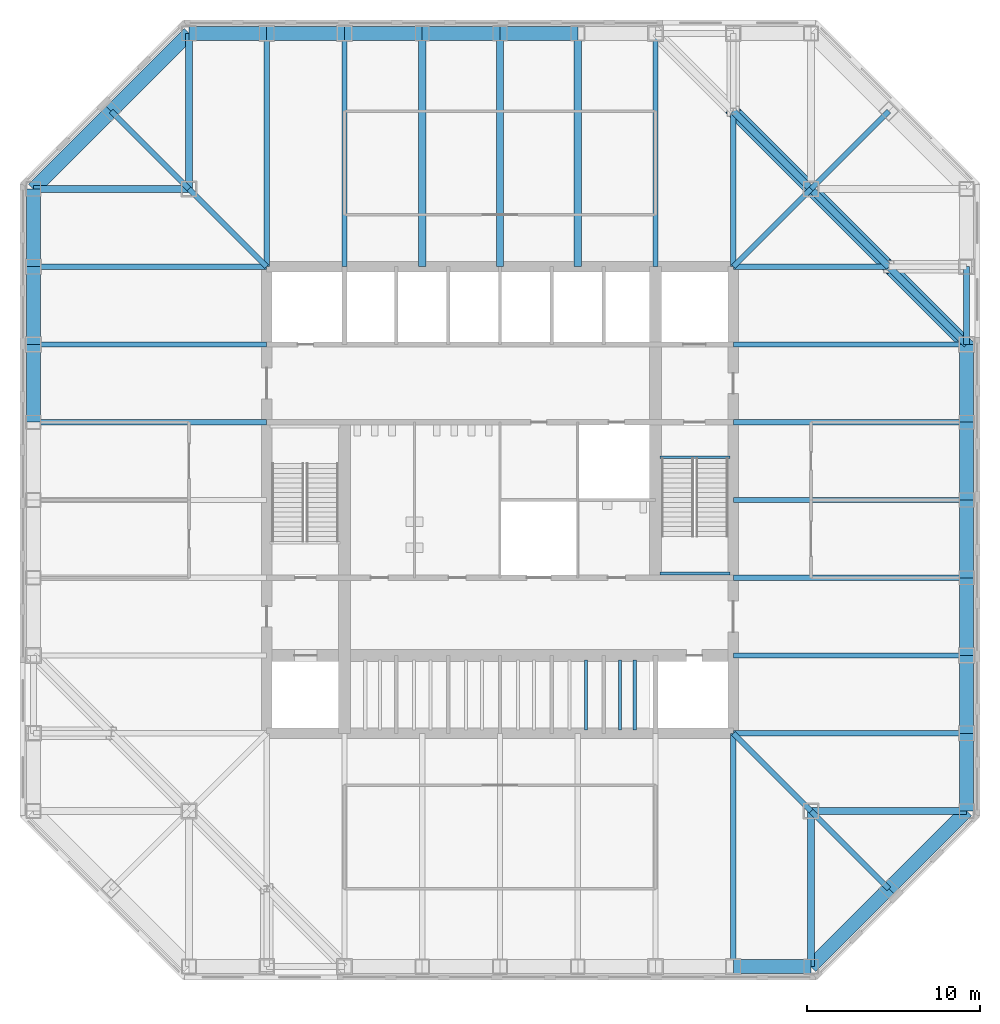
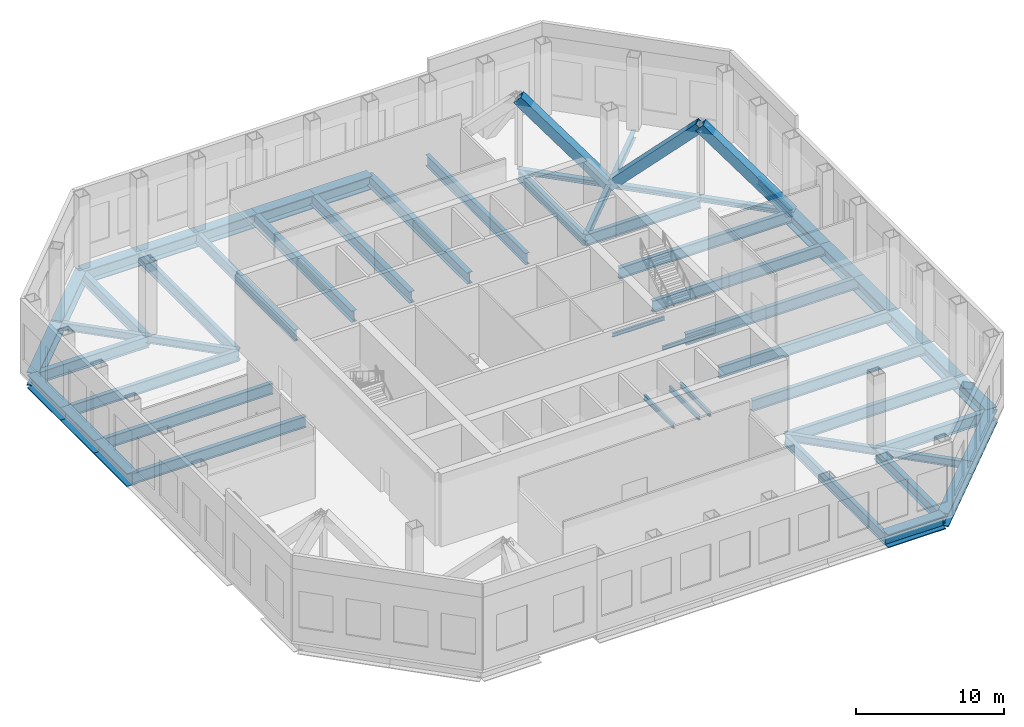
# One storey, part 3 of 11: 56 beams, 3 members.
"""IFC4 building model written with IfcOpenShell, lengths in metres."""

from ifc_helpers import new_model, si_unit, direction, frame, origin, origin_2d, place, context, subcontext, project, spatial, hollow_rectangle, i_section, extrude, material, material_profile, profile_set, type_object, element, save


model = new_model("IFC4")

# Units and contexts
model_context = context("Model", 3, precision=1e-05, world=origin(), true_north=direction((0.0, 1.0)))
body_context = subcontext(model_context, "Body", "Model", "MODEL_VIEW")
ifc_project = project(units=[si_unit("LENGTHUNIT", "METRE"), si_unit("AREAUNIT", "SQUARE_METRE"), si_unit("VOLUMEUNIT", "CUBIC_METRE"), si_unit("PLANEANGLEUNIT", "RADIAN"), si_unit("MASSUNIT", "GRAM", prefix="KILO")], contexts=[model_context])

# Site, building, storey
site_placement = place(None, origin())
site = spatial("IfcSite", under=ifc_project, at=site_placement, CompositionType="ELEMENT")
building_placement = place(site_placement, origin())
building = spatial("IfcBuilding", under=site, at=building_placement, Name="Corais Broadcast Tower", CompositionType="ELEMENT")
storey_placement = place(building_placement, frame((0.0, 0.0, 104.60009765625)))
storey = spatial("IfcBuildingStorey", under=building, at=storey_placement, Name="L23", CompositionType="ELEMENT", Elevation=104.60009765625)

# Beams
ifc_material_1 = material(Name="Steel ASTM A572 Grade 50", Category="steel")
ifc_material_profile_1 = material_profile(ifc_material_1, i_section(OverallWidth=0.323974609375, OverallDepth=0.611083984375, WebThickness=0.0126953125, FlangeThickness=0.01904296875, at=origin_2d()), Name="W610x155")
ifc_profile_set_1 = profile_set([ifc_material_profile_1], Name="Steel ASTM A572 Grade 50")
beam_type_1 = type_object("IfcBeamType", Name="Chamfer tie W610x155", PredefinedType="BEAM", material=ifc_profile_set_1)
for number, where, z_axis, x_axis, name in (
    (1, (4.5, 49.5, -0.505615234375), (0.707106781187, -0.707106781187, 0.0), (0.707106781187, 0.707106781187, 0.0), "B5 M/4 to L/5"),
    (2, (49.5, 4.5, -0.505615234375), (-0.707106781187, 0.707106781187, 0.0), (-0.707106781187, -0.707106781187, 0.0), "B5 B/14 to C/13"),
    (3, (49.5, 49.5, -0.505615234375), (-0.707106781187, -0.707106781187, 0.0), (0.707106781187, -0.707106781187, 0.0), "B5 M/14 to L/13"),
):
    element("IfcBeam", number, at=place(storey_placement, frame(where, z_axis=z_axis, x_axis=x_axis)), inside=storey, type_object=beam_type_1, Name=name, PredefinedType="BEAM", context=body_context, shape_type="SweptSolid", body=[
        extrude(i_section(OverallWidth=0.323974609375, OverallDepth=0.611083984375, WebThickness=0.0126953125, FlangeThickness=0.01904296875, at=origin_2d()), origin(), (0.0, 0.0, 1.0), 6.364013671875),
    ])
ifc_material_2 = material(Name="Steel ASTM A572 Grade 50", Category="steel")
ifc_material_profile_2 = material_profile(ifc_material_2, i_section(OverallWidth=0.323974609375, OverallDepth=0.611083984375, WebThickness=0.0126953125, FlangeThickness=0.01904296875, at=origin_2d()), Name="W610x155")
ifc_profile_set_2 = profile_set([ifc_material_profile_2], Name="Steel ASTM A572 Grade 50")
beam_type_2 = type_object("IfcBeamType", Name="Corner diagonal W610x155", PredefinedType="BEAM", material=ifc_profile_set_2)
for number, where, z_axis, x_axis, name in (
    (4, (45.0, 45.0, -0.505615234375), (-0.707106781187, -0.707106781187, 0.0), (0.707106781187, -0.707106781187, 0.0), "B6 L/13 to K/12"),
    (5, (45.0, 9.0, -0.505615234375), (-0.707106781187, 0.707106781187, 0.0), (-0.707106781187, -0.707106781187, 0.0), "B6 C/13 to D/12"),
    (6, (9.0, 45.0, -0.505615234375), (0.707106781187, -0.707106781187, 0.0), (0.707106781187, 0.707106781187, 0.0), "B6 L/5 to K/6"),
):
    element("IfcBeam", number, at=place(storey_placement, frame(where, z_axis=z_axis, x_axis=x_axis)), inside=storey, type_object=beam_type_2, Name=name, PredefinedType="BEAM", context=body_context, shape_type="SweptSolid", body=[
        extrude(i_section(OverallWidth=0.323974609375, OverallDepth=0.611083984375, WebThickness=0.0126953125, FlangeThickness=0.01904296875, at=origin_2d()), origin(), (0.0, 0.0, 1.0), 6.364013671875),
    ])
ifc_material_3 = material(Name="Steel ASTM A572 Grade 50", Category="steel")
ifc_material_profile_3 = material_profile(ifc_material_3, i_section(OverallWidth=0.1650390625, OverallDepth=0.31005859375, WebThickness=0.005859375, FlangeThickness=0.009765625, at=origin_2d()), Name="W310x38.7")
ifc_profile_set_3 = profile_set([ifc_material_profile_3], Name="Steel ASTM A572 Grade 50")
beam_type_3 = type_object("IfcBeamType", Name="Landing trimmer W310x38.7", PredefinedType="BEAM", material=ifc_profile_set_3)
for number, where, z_axis, x_axis, name in (
    (7, (36.25, 29.47509765625, -0.35498046875), (1.0, 0.0, 0.0), (0.0, 1.0, 0.0), "LT1 stair B landing trimmer L23"),
    (8, (36.25, 22.739990234375, 2.64501953125), (1.0, 0.0, 0.0), (0.0, 1.0, 0.0), "LT1 stair B half landing trimmer L23"),
):
    element("IfcBeam", number, at=place(storey_placement, frame(where, z_axis=z_axis, x_axis=x_axis)), inside=storey, type_object=beam_type_3, Name=name, PredefinedType="BEAM", context=body_context, shape_type="SweptSolid", body=[
        extrude(i_section(OverallWidth=0.1650390625, OverallDepth=0.31005859375, WebThickness=0.005859375, FlangeThickness=0.009765625, at=origin_2d()), origin(), (0.0, 0.0, 1.0), 4.050048828125),
    ])
ifc_material_4 = material(Name="Steel ASTM A572 Grade 50", Category="steel")
ifc_material_profile_4 = material_profile(ifc_material_4, i_section(OverallWidth=0.323974609375, OverallDepth=0.611083984375, WebThickness=0.0126953125, FlangeThickness=0.01904296875, at=origin_2d()), Name="W610x155")
ifc_profile_set_4 = profile_set([ifc_material_profile_4], Name="Steel ASTM A572 Grade 50")
beam_type_4 = type_object("IfcBeamType", Name="Pinned spandrel W610x155", PredefinedType="BEAM", material=ifc_profile_set_4)
beam_1_placement = place(storey_placement, frame((54.0, 36.0, -0.505615234375), z_axis=(0.0, 1.0, 0.0), x_axis=(-1.0, 0.0, 0.0)))
element("IfcBeam", 9, at=beam_1_placement, inside=storey, type_object=beam_type_4, Name="SB6 J/15 to K/15", PredefinedType="BEAM", context=body_context, shape_type="SweptSolid", body=[
    extrude(i_section(OverallWidth=0.323974609375, OverallDepth=0.611083984375, WebThickness=0.0126953125, FlangeThickness=0.01904296875, at=origin_2d()), origin(), (0.0, 0.0, 1.0), 4.5),
])
ifc_material_5 = material(Name="Steel ASTM A572 Grade 50", Category="steel")
ifc_material_profile_5 = material_profile(ifc_material_5, i_section(OverallWidth=0.177978515625, OverallDepth=0.406982421875, WebThickness=0.0078125, FlangeThickness=0.0126953125, at=origin_2d()), Name="W410x60")
ifc_profile_set_5 = profile_set([ifc_material_profile_5], Name="Steel ASTM A572 Grade 50")
beam_type_5 = type_object("IfcBeamType", Name="Pit beam W410x60", PredefinedType="BEAM", material=ifc_profile_set_5)
for number, where, z_axis, x_axis, name in (
    (10, (31.966796875, 13.699951171875, 3.1962890625), (0.0, 1.0, 0.0), (-1.0, 0.0, 0.0), "B15 lift pit beam D/10 +467 +300"),
    (11, (33.949951171875, 13.699951171875, 3.1962890625), (0.0, 1.0, 0.0), (-1.0, 0.0, 0.0), "B15 lift pit beam D/11 -2050 +300"),
    (12, (34.800048828125, 13.699951171875, 3.1962890625), (0.0, 1.0, 0.0), (-1.0, 0.0, 0.0), "B15 lift pit beam D/11 -1200 +300"),
):
    element("IfcBeam", number, at=place(storey_placement, frame(where, z_axis=z_axis, x_axis=x_axis)), inside=storey, type_object=beam_type_5, Name=name, PredefinedType="BEAM", context=body_context, shape_type="SweptSolid", body=[
        extrude(i_section(OverallWidth=0.177978515625, OverallDepth=0.406982421875, WebThickness=0.0078125, FlangeThickness=0.0126953125, at=origin_2d()), origin(), (0.0, 0.0, 1.0), 4.050048828125),
    ])
ifc_material_6 = material(Name="Steel ASTM A572 Grade 50", Category="steel")
ifc_material_profile_6 = material_profile(ifc_material_6, i_section(OverallWidth=0.30908203125, OverallDepth=0.931884765625, WebThickness=0.02099609375, FlangeThickness=0.034423828125, at=origin_2d()), Name="W920x313")
ifc_profile_set_6 = profile_set([ifc_material_profile_6], Name="Steel ASTM A572 Grade 50")
beam_type_6 = type_object("IfcBeamType", Name="Plant floor beam W920x313", PredefinedType="BEAM", material=ifc_profile_set_6)
for number, where, z_axis, x_axis, name in (
    (13, (0.0, 31.5, -0.666015625), (1.0, 0.0, 0.0), (0.0, 1.0, 0.0), "B17 H/3 to H/6"),
    (14, (0.0, 36.0, -0.666015625), (1.0, 0.0, 0.0), (0.0, 1.0, 0.0), "B17 J/3 to J/6"),
    (15, (0.0, 40.5, -0.666015625), (1.0, 0.0, 0.0), (0.0, 1.0, 0.0), "B17 K/3 to K/6"),
    (16, (13.5, 54.0, -0.666015625), (0.0, -1.0, 0.0), (1.0, 0.0, 0.0), "B17 N/6 to K/6"),
    (17, (18.0, 54.0, -0.666015625), (0.0, -1.0, 0.0), (1.0, 0.0, 0.0), "B17 N/7 to K/7"),
    (18, (36.0, 54.0, -0.666015625), (0.0, -1.0, 0.0), (1.0, 0.0, 0.0), "B17 N/11 to K/11"),
    (19, (40.5, 0.0, -0.666015625), (0.0, 1.0, 0.0), (-1.0, 0.0, 0.0), "B17 A/12 to D/12"),
):
    element("IfcBeam", number, at=place(storey_placement, frame(where, z_axis=z_axis, x_axis=x_axis)), inside=storey, type_object=beam_type_6, Name=name, PredefinedType="BEAM", context=body_context, shape_type="SweptSolid", body=[
        extrude(i_section(OverallWidth=0.30908203125, OverallDepth=0.931884765625, WebThickness=0.02099609375, FlangeThickness=0.034423828125, at=origin_2d()), origin(), (0.0, 0.0, 1.0), 13.5),
    ])
for number, where, z_axis, x_axis, name in (
    (20, (40.5, 49.5, -0.666015625), (0.0, -1.0, 0.0), (1.0, 0.0, 0.0), "B17 M/12 to K/12"),
    (21, (49.5, 40.5, -0.666015625), (-1.0, 0.0, 0.0), (0.0, -1.0, 0.0), "B17 K/14 to K/12"),
):
    element("IfcBeam", number, at=place(storey_placement, frame(where, z_axis=z_axis, x_axis=x_axis)), inside=storey, type_object=beam_type_6, Name=name, PredefinedType="BEAM", context=body_context, shape_type="SweptSolid", body=[
        extrude(i_section(OverallWidth=0.30908203125, OverallDepth=0.931884765625, WebThickness=0.02099609375, FlangeThickness=0.034423828125, at=origin_2d()), origin(), (0.0, 0.0, 1.0), 9.0),
    ])
for number, where, z_axis, x_axis, name in (
    (22, (54.0, 13.5, -0.666015625), (-1.0, 0.0, 0.0), (0.0, -1.0, 0.0), "B17 D/15 to D/12"),
    (23, (54.0, 18.0, -0.666015625), (-1.0, 0.0, 0.0), (0.0, -1.0, 0.0), "B17 E/15 to E/12"),
    (24, (54.0, 22.5, -0.666015625), (-1.0, 0.0, 0.0), (0.0, -1.0, 0.0), "B17 F/15 to F/12"),
    (25, (54.0, 27.0, -0.666015625), (-1.0, 0.0, 0.0), (0.0, -1.0, 0.0), "B17 G/15 to G/12"),
    (26, (54.0, 31.5, -0.666015625), (-1.0, 0.0, 0.0), (0.0, -1.0, 0.0), "B17 H/15 to H/12"),
    (27, (54.0, 36.0, -0.666015625), (-1.0, 0.0, 0.0), (0.0, -1.0, 0.0), "B17 J/15 to J/12"),
):
    element("IfcBeam", number, at=place(storey_placement, frame(where, z_axis=z_axis, x_axis=x_axis)), inside=storey, type_object=beam_type_6, Name=name, PredefinedType="BEAM", context=body_context, shape_type="SweptSolid", body=[
        extrude(i_section(OverallWidth=0.30908203125, OverallDepth=0.931884765625, WebThickness=0.02099609375, FlangeThickness=0.034423828125, at=origin_2d()), origin(), (0.0, 0.0, 1.0), 13.5),
    ])
ifc_material_7 = material(Name="Steel ASTM A572 Grade 50", Category="steel")
ifc_material_profile_7 = material_profile(ifc_material_7, i_section(OverallWidth=0.4189453125, OverallDepth=0.94189453125, WebThickness=0.022216796875, FlangeThickness=0.03662109375, at=origin_2d()), Name="W920x345")
ifc_profile_set_7 = profile_set([ifc_material_profile_7], Name="Steel ASTM A572 Grade 50")
beam_type_7 = type_object("IfcBeamType", Name="Tank room floor beam W920x345", PredefinedType="BEAM", material=ifc_profile_set_7)
for number, where, z_axis, x_axis, name in (
    (28, (22.5, 54.0, -0.671142578125), (0.0, -1.0, 0.0), (1.0, 0.0, 0.0), "B20 N/8 to K/8"),
    (29, (27.0, 54.0, -0.671142578125), (0.0, -1.0, 0.0), (1.0, 0.0, 0.0), "B20 N/9 to K/9"),
    (30, (31.5, 54.0, -0.671142578125), (0.0, -1.0, 0.0), (1.0, 0.0, 0.0), "B20 N/10 to K/10"),
):
    element("IfcBeam", number, at=place(storey_placement, frame(where, z_axis=z_axis, x_axis=x_axis)), inside=storey, type_object=beam_type_7, Name=name, PredefinedType="BEAM", context=body_context, shape_type="SweptSolid", body=[
        extrude(i_section(OverallWidth=0.4189453125, OverallDepth=0.94189453125, WebThickness=0.022216796875, FlangeThickness=0.03662109375, at=origin_2d()), origin(), (0.0, 0.0, 1.0), 13.5),
    ])
ifc_material_8 = material(Name="Steel ASTM A572 Grade 50", Category="steel")
ifc_material_profile_8 = material_profile(ifc_material_8, i_section(OverallWidth=0.40087890625, OverallDepth=0.386962890625, WebThickness=0.02099609375, FlangeThickness=0.033203125, at=origin_2d()), Name="W360x262")
ifc_profile_set_8 = profile_set([ifc_material_profile_8], Name="Steel ASTM A572 Grade 50")
beam_type_8 = type_object("IfcBeamType", Name="Transfer chord W360x262", PredefinedType="BEAM", material=ifc_profile_set_8)
for number, where, z_axis, x_axis, name in (
    (31, (40.5, 49.5, -0.3935546875), (0.707106781187, -0.707106781187, 0.0), (0.707106781187, 0.707106781187, 0.0), "TC1 M/12 to L/13"),
    (32, (45.0, 45.0, -0.3935546875), (0.707106781187, -0.707106781187, 0.0), (0.707106781187, 0.707106781187, 0.0), "TC1 L/13 to K/14"),
    (33, (49.5, 40.5, -0.3935546875), (0.707106781187, -0.707106781187, 0.0), (0.707106781187, 0.707106781187, 0.0), "TC1 K/14 to J/15"),
):
    element("IfcBeam", number, at=place(storey_placement, frame(where, z_axis=z_axis, x_axis=x_axis)), inside=storey, type_object=beam_type_8, Name=name, PredefinedType="BEAM", context=body_context, shape_type="SweptSolid", body=[
        extrude(i_section(OverallWidth=0.40087890625, OverallDepth=0.386962890625, WebThickness=0.02099609375, FlangeThickness=0.033203125, at=origin_2d()), origin(), (0.0, 0.0, 1.0), 6.364013671875),
    ])
ifc_material_9 = material(Name="Steel ASTM A572 Grade 50", Category="steel")
ifc_material_profile_9 = material_profile(ifc_material_9, i_section(OverallWidth=0.408935546875, OverallDepth=0.927001953125, WebThickness=0.0166015625, FlangeThickness=0.030029296875, at=origin_2d()), Name="W920x289")
ifc_profile_set_9 = profile_set([ifc_material_profile_9], Name="Steel ASTM A572 Grade 50")
beam_type_9 = type_object("IfcBeamType", Name="Transfer corner girder W920x289", PredefinedType="BEAM", material=ifc_profile_set_9)
for number, where, z_axis, x_axis, name in (
    (34, (0.0, 45.0, -0.66357421875), (1.0, 0.0, 0.0), (0.0, 1.0, 0.0), "B14 L/3 to L/5"),
    (35, (45.0, 0.0, -0.66357421875), (0.0, 1.0, 0.0), (-1.0, 0.0, 0.0), "B14 A/13 to C/13"),
    (36, (54.0, 9.0, -0.66357421875), (-1.0, 0.0, 0.0), (0.0, -1.0, 0.0), "B14 C/15 to C/13"),
    (37, (9.0, 54.0, -0.66357421875), (0.0, -1.0, 0.0), (1.0, 0.0, 0.0), "B14 N/5 to L/5"),
):
    element("IfcBeam", number, at=place(storey_placement, frame(where, z_axis=z_axis, x_axis=x_axis)), inside=storey, type_object=beam_type_9, Name=name, PredefinedType="BEAM", context=body_context, shape_type="SweptSolid", body=[
        extrude(i_section(OverallWidth=0.408935546875, OverallDepth=0.927001953125, WebThickness=0.0166015625, FlangeThickness=0.030029296875, at=origin_2d()), origin(), (0.0, 0.0, 1.0), 9.0),
    ])
ifc_material_10 = material(Name="Steel ASTM A572 Grade 50", Category="steel")
ifc_material_profile_10 = material_profile(ifc_material_10, i_section(OverallWidth=0.800048828125, OverallDepth=1.10009765625, WebThickness=0.030029296875, FlangeThickness=0.070068359375, at=origin_2d()), Name="PG1100x1105")
ifc_profile_set_10 = profile_set([ifc_material_profile_10], Name="Steel ASTM A572 Grade 50")
beam_type_10 = type_object("IfcBeamType", Name="Transfer spandrel PG1100x1105", PredefinedType="BEAM", material=ifc_profile_set_10)
for number, where, z_axis, x_axis, name in (
    (38, (0.0, 36.0, -0.75), (0.0, -1.0, 0.0), (1.0, 0.0, 0.0), "SB8 J/3 to H/3"),
    (39, (0.0, 40.5, -0.75), (0.0, -1.0, 0.0), (1.0, 0.0, 0.0), "SB8 K/3 to J/3"),
    (40, (0.0, 45.0, -0.75), (0.0, -1.0, 0.0), (1.0, 0.0, 0.0), "SB8 L/3 to K/3"),
    (41, (13.5, 54.0, -0.75), (-1.0, 0.0, 0.0), (0.0, -1.0, 0.0), "SB8 N/6 to N/5"),
    (42, (18.0, 54.0, -0.75), (-1.0, 0.0, 0.0), (0.0, -1.0, 0.0), "SB8 N/7 to N/6"),
    (43, (22.5, 54.0, -0.75), (-1.0, 0.0, 0.0), (0.0, -1.0, 0.0), "SB8 N/8 to N/7"),
    (44, (27.0, 54.0, -0.75), (-1.0, 0.0, 0.0), (0.0, -1.0, 0.0), "SB8 N/9 to N/8"),
    (45, (31.5, 54.0, -0.75), (-1.0, 0.0, 0.0), (0.0, -1.0, 0.0), "SB8 N/10 to N/9"),
):
    element("IfcBeam", number, at=place(storey_placement, frame(where, z_axis=z_axis, x_axis=x_axis)), inside=storey, type_object=beam_type_10, Name=name, PredefinedType="BEAM", context=body_context, shape_type="SweptSolid", body=[
        extrude(i_section(OverallWidth=0.800048828125, OverallDepth=1.10009765625, WebThickness=0.030029296875, FlangeThickness=0.070068359375, at=origin_2d()), origin(), (0.0, 0.0, 1.0), 4.5),
    ])
beam_2_placement = place(storey_placement, frame((4.5, 49.5, -0.75), z_axis=(-0.707106781187, -0.707106781187, 0.0), x_axis=(0.707106781187, -0.707106781187, 0.0)))
element("IfcBeam", 46, at=beam_2_placement, inside=storey, type_object=beam_type_10, Name="SB8 M/4 to L/3", PredefinedType="BEAM", context=body_context, shape_type="SweptSolid", body=[
    extrude(i_section(OverallWidth=0.800048828125, OverallDepth=1.10009765625, WebThickness=0.030029296875, FlangeThickness=0.070068359375, at=origin_2d()), origin(), (0.0, 0.0, 1.0), 6.364013671875),
])
beam_3_placement = place(storey_placement, frame((40.5, 0.0, -0.75), z_axis=(1.0, 0.0, 0.0), x_axis=(0.0, 1.0, 0.0)))
element("IfcBeam", 47, at=beam_3_placement, inside=storey, type_object=beam_type_10, Name="SB8 A/12 to A/13", PredefinedType="BEAM", context=body_context, shape_type="SweptSolid", body=[
    extrude(i_section(OverallWidth=0.800048828125, OverallDepth=1.10009765625, WebThickness=0.030029296875, FlangeThickness=0.070068359375, at=origin_2d()), origin(), (0.0, 0.0, 1.0), 4.5),
])
for number, where, z_axis, x_axis, name in (
    (48, (45.0, 0.0, -0.75), (0.707106781187, 0.707106781187, 0.0), (-0.707106781187, 0.707106781187, 0.0), "SB8 A/13 to B/14"),
    (49, (49.5, 4.5, -0.75), (0.707106781187, 0.707106781187, 0.0), (-0.707106781187, 0.707106781187, 0.0), "SB8 B/14 to C/15"),
):
    element("IfcBeam", number, at=place(storey_placement, frame(where, z_axis=z_axis, x_axis=x_axis)), inside=storey, type_object=beam_type_10, Name=name, PredefinedType="BEAM", context=body_context, shape_type="SweptSolid", body=[
        extrude(i_section(OverallWidth=0.800048828125, OverallDepth=1.10009765625, WebThickness=0.030029296875, FlangeThickness=0.070068359375, at=origin_2d()), origin(), (0.0, 0.0, 1.0), 6.364013671875),
    ])
for number, where, z_axis, x_axis, name in (
    (50, (54.0, 13.5, -0.75), (0.0, 1.0, 0.0), (-1.0, 0.0, 0.0), "SB8 D/15 to E/15"),
    (51, (54.0, 18.0, -0.75), (0.0, 1.0, 0.0), (-1.0, 0.0, 0.0), "SB8 E/15 to F/15"),
    (52, (54.0, 22.5, -0.75), (0.0, 1.0, 0.0), (-1.0, 0.0, 0.0), "SB8 F/15 to G/15"),
    (53, (54.0, 27.0, -0.75), (0.0, 1.0, 0.0), (-1.0, 0.0, 0.0), "SB8 G/15 to H/15"),
    (54, (54.0, 31.5, -0.75), (0.0, 1.0, 0.0), (-1.0, 0.0, 0.0), "SB8 H/15 to J/15"),
    (55, (54.0, 9.0, -0.75), (0.0, 1.0, 0.0), (-1.0, 0.0, 0.0), "SB8 C/15 to D/15"),
):
    element("IfcBeam", number, at=place(storey_placement, frame(where, z_axis=z_axis, x_axis=x_axis)), inside=storey, type_object=beam_type_10, Name=name, PredefinedType="BEAM", context=body_context, shape_type="SweptSolid", body=[
        extrude(i_section(OverallWidth=0.800048828125, OverallDepth=1.10009765625, WebThickness=0.030029296875, FlangeThickness=0.070068359375, at=origin_2d()), origin(), (0.0, 0.0, 1.0), 4.5),
    ])
beam_4_placement = place(storey_placement, frame((9.0, 54.0, -0.75), z_axis=(-0.707106781187, -0.707106781187, 0.0), x_axis=(0.707106781187, -0.707106781187, 0.0)))
element("IfcBeam", 56, at=beam_4_placement, inside=storey, type_object=beam_type_10, Name="SB8 N/5 to M/4", PredefinedType="BEAM", context=body_context, shape_type="SweptSolid", body=[
    extrude(i_section(OverallWidth=0.800048828125, OverallDepth=1.10009765625, WebThickness=0.030029296875, FlangeThickness=0.070068359375, at=origin_2d()), origin(), (0.0, 0.0, 1.0), 6.364013671875),
])

# Members
ifc_material_11 = material(Name="Steel ASTM A572 Grade 50", Category="steel")
ifc_material_profile_11 = material_profile(ifc_material_11, hollow_rectangle(XDim=0.75, YDim=0.75, WallThickness=0.0400390625, at=origin_2d()), Name="BOX 750x750x40")
ifc_profile_set_11 = profile_set([ifc_material_profile_11], Name="Steel ASTM A572 Grade 50")
member_type = type_object("IfcMemberType", Name="Transfer truss diagonal BOX 750x750x40", PredefinedType="BRACE", material=ifc_profile_set_11)
for number, where, z_axis, x_axis, name in (
    (57, (45.0, 45.0, -0.3935546875), (-0.51368847143, 0.51368847143, 0.687203251331), (-0.707106781187, -0.707106781187, 0.0), "TD1 transfer truss diagonal NE"),
    (58, (45.0, 45.0, -0.3935546875), (0.51368847143, -0.51368847143, 0.687203251331), (0.707106781187, 0.707106781187, 0.0), "TD1 transfer truss diagonal NE"),
    (59, (54.0, 36.0, -0.3935546875), (-0.51368847143, 0.51368847143, 0.687203251331), (-0.707106781187, -0.707106781187, 0.0), "TD1 transfer truss diagonal NE"),
):
    element("IfcMember", number, at=place(storey_placement, frame(where, z_axis=z_axis, x_axis=x_axis)), inside=storey, type_object=member_type, Name=name, PredefinedType="BRACE", context=body_context, shape_type="SweptSolid", body=[
        extrude(hollow_rectangle(XDim=0.75, YDim=0.75, WallThickness=0.0400390625, at=origin_2d()), origin(), (0.0, 0.0, 1.0), 8.76025390625),
    ])

save(model, "model.ifc")
